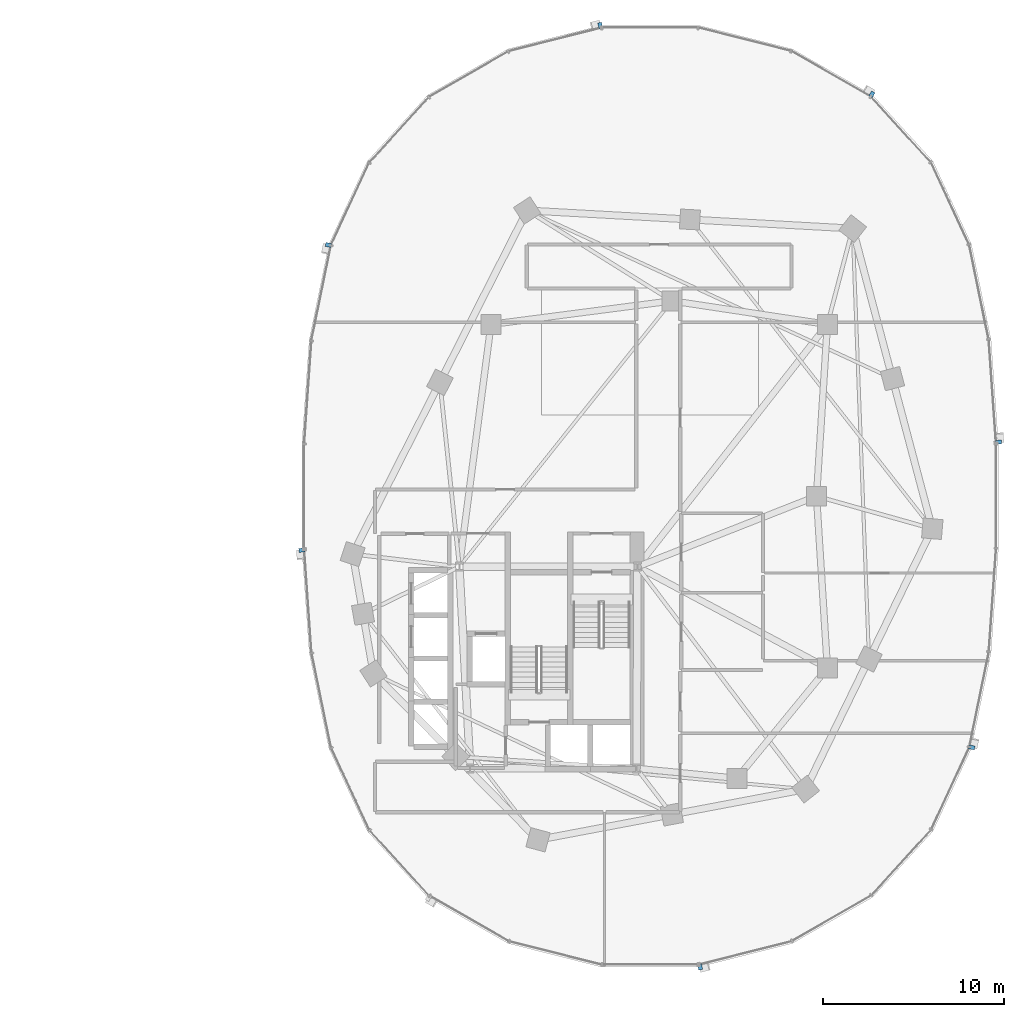
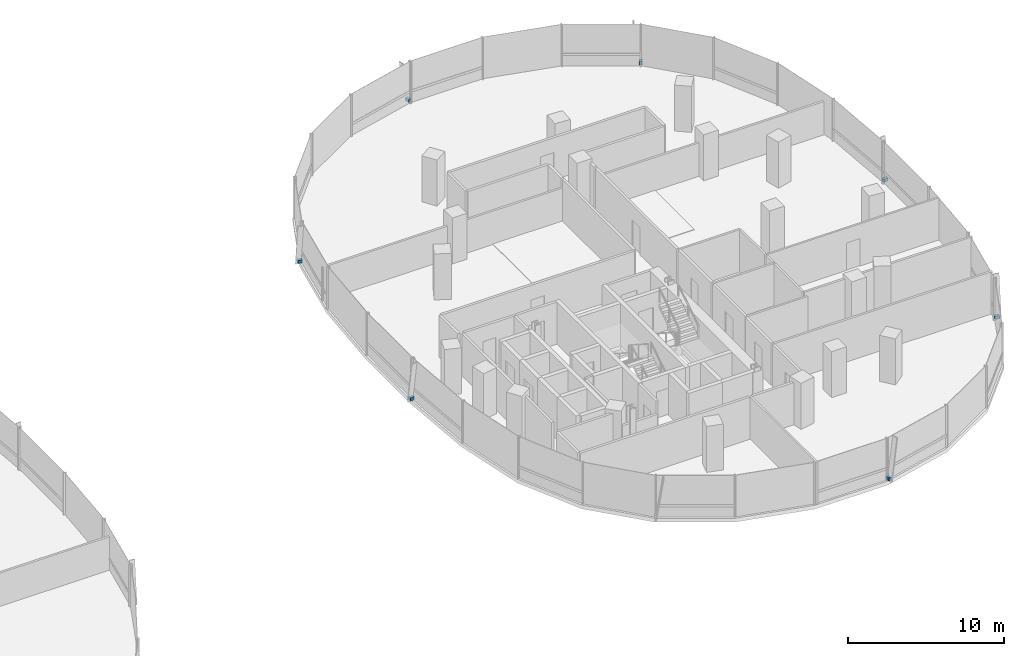
# One storey, part 16 of 21: 7 discrete accessories.
"""IFC4 building model written with IfcOpenShell, lengths in metres."""

from ifc_helpers import new_model, si_unit, direction, frame, origin, origin_2d, place, context, subcontext, project, spatial, rectangle, extrude, material, type_object, element, save


model = new_model("IFC4")

# Units and contexts
model_context = context("Model", 3, precision=1e-05, world=origin(), true_north=direction((0.0, 1.0)))
body_context = subcontext(model_context, "Body", "Model", "MODEL_VIEW")
ifc_project = project(units=[si_unit("LENGTHUNIT", "METRE"), si_unit("AREAUNIT", "SQUARE_METRE"), si_unit("VOLUMEUNIT", "CUBIC_METRE"), si_unit("PLANEANGLEUNIT", "RADIAN"), si_unit("MASSUNIT", "GRAM", prefix="KILO"), si_unit("THERMODYNAMICTEMPERATUREUNIT", "KELVIN"), si_unit("POWERUNIT", "WATT")], contexts=[model_context])

# Site, building, storey
site_placement = place(None, origin())
site = spatial("IfcSite", under=ifc_project, at=site_placement, CompositionType="ELEMENT")
building_placement = place(site_placement, origin())
building = spatial("IfcBuilding", under=site, at=building_placement, Name="Cundina Bronze Exchange", CompositionType="ELEMENT")
storey_placement = place(building_placement, frame((0.0, 0.0, 92.60009765625)))
storey = spatial("IfcBuildingStorey", under=building, at=storey_placement, Name="L23", CompositionType="ELEMENT", Elevation=92.60009765625)

# Discrete accessories
ifc_material = material(Name="Anodised Bronze Aluminium 6063-T6", Category="aluminium")
discrete_accessory_type = type_object("IfcDiscreteAccessoryType", Name="ACC-BRK-FIN", PredefinedType="BRACKET", material=ifc_material)
for number, where, z_axis, x_axis, name in (
    (1, (51.264404296875, 2.986083984375, 0.10009765625), (0.0, 0.0, 1.0), (-0.070278787473, 0.997527389113, 0.0), "L23 Fin Support Bracket 1"),
    (2, (44.259521484375, 22.21875, 0.10009765625), (0.0, 0.0, 1.0), (-0.867105478933, 0.498124571171, 0.0), "L23 Fin Support Bracket 5"),
    (3, (29.23974609375, 26.03173828125, 0.10009765625), (0.0, 0.0, 1.0), (-0.969488149345, -0.245138182011, 0.0), "L23 Fin Support Bracket 1"),
    (4, (14.211669921875, 13.8896484375, 0.10009765625), (0.0, 0.0, 1.0), (-0.201419845156, -0.979505000486, 0.0), "L23 Fin Support Bracket 5"),
    (5, (12.735595703125, -2.986083984375, 0.10009765625), (0.0, 0.0, 1.0), (0.070278787473, -0.997527389113, 0.0), "L23 Fin Support Bracket 1"),
    (6, (34.76025390625, -26.03173828125, 0.10009765625), (0.0, 0.0, 1.0), (0.969488149345, 0.245138182011, 0.0), "L23 Fin Support Bracket 1"),
    (7, (49.788330078125, -13.8896484375, 0.10009765625), (0.0, 0.0, 1.0), (0.201419845156, 0.979505000486, 0.0), "L23 Fin Support Bracket 5"),
):
    element("IfcDiscreteAccessory", number, at=place(storey_placement, frame(where, z_axis=z_axis, x_axis=x_axis)), inside=storey, type_object=discrete_accessory_type, Name=name, PredefinedType="BRACKET", context=body_context, shape_type="SweptSolid", body=[
        extrude(rectangle(XDim=0.219970703125, YDim=0.320068359375, at=origin_2d()), origin(), (0.0, 0.0, 1.0), 0.239990234375),
    ])

save(model, "model.ifc")
